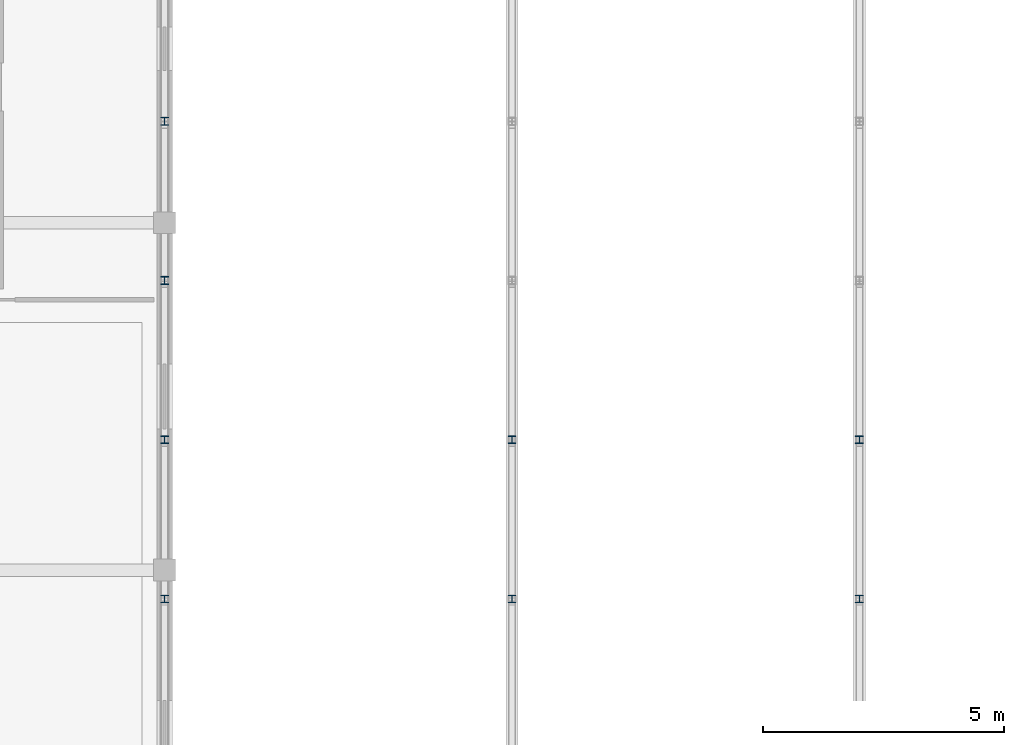
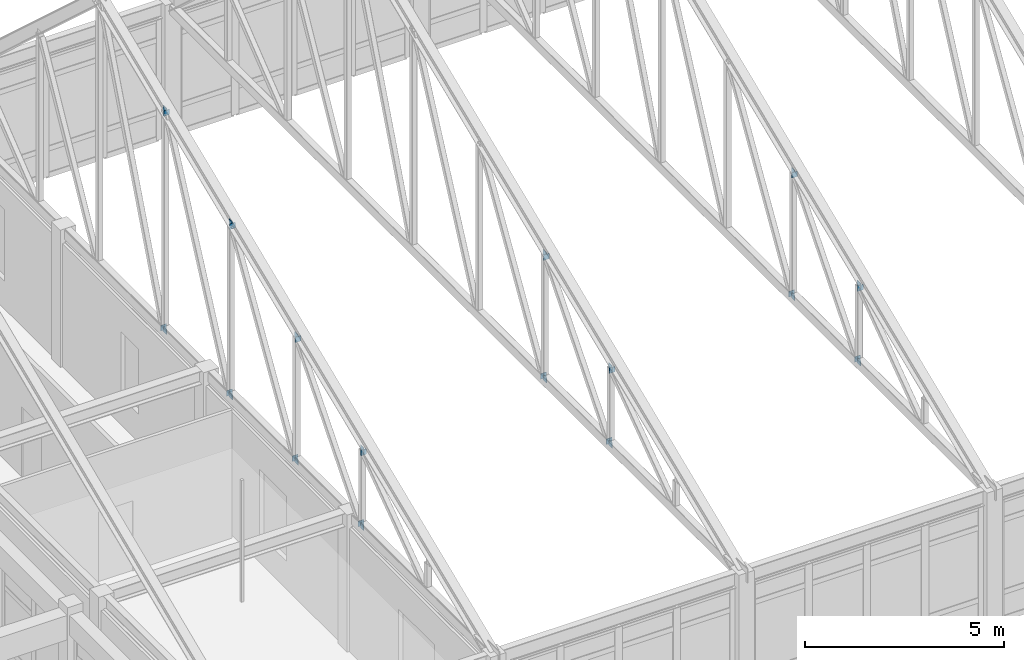
# One storey, part 99 of 136: 32 plates.
"""IFC4 building model written with IfcOpenShell, lengths in metres."""

from ifc_helpers import new_model, si_unit, direction, frame, origin, origin_2d, place, context, subcontext, project, spatial, rectangle, extrude, material, layer, layer_set, type_object, element, save


model = new_model("IFC4")

# Units and contexts
model_context = context("Model", 3, precision=1e-05, world=origin(), true_north=direction((0.0, 1.0)))
body_context = subcontext(model_context, "Body", "Model", "MODEL_VIEW")
ifc_project = project(units=[si_unit("LENGTHUNIT", "METRE"), si_unit("AREAUNIT", "SQUARE_METRE"), si_unit("VOLUMEUNIT", "CUBIC_METRE"), si_unit("PLANEANGLEUNIT", "RADIAN"), si_unit("MASSUNIT", "GRAM", prefix="KILO")], contexts=[model_context])

# Site, building, storey
site_placement = place(None, origin())
site = spatial("IfcSite", under=ifc_project, at=site_placement, CompositionType="ELEMENT")
building_placement = place(site_placement, origin())
building = spatial("IfcBuilding", under=site, at=building_placement, Name="Koriwan Promenade Central Fire Station", CompositionType="ELEMENT")
storey_placement = place(building_placement, frame((0.0, 0.0, 5.39990234375)))
storey = spatial("IfcBuildingStorey", under=building, at=storey_placement, Name="L01", CompositionType="ELEMENT", Elevation=5.39990234375)

# Plates
ifc_material = material(Name="Steel ASTM A572 Grade 50", Category="steel")
ifc_layer = layer(ifc_material, 0.01611328125, Name="Steel ASTM A572 Grade 50")
ifc_layer_set = layer_set([ifc_layer], Name="Steel ASTM A572 Grade 50")
plate_type = type_object("IfcPlateType", Name="EndCap_HSS150", PredefinedType="SHEET", material=ifc_layer_set)
for number, where, z_axis, x_axis, name in (
    (1, (64.800048828125, 49.800048828125, 3.9296875), (0.0, 0.0, 1.0), (1.0, 0.0, 0.0), "TR_V1_02 vertical 2 end cap 1"),
    (2, (64.800048828125, 49.800048828125, 6.299072265625), (0.0, 0.0, 1.0), (1.0, 0.0, 0.0), "TR_V1_02 vertical 2 end cap 2"),
    (3, (64.800048828125, 53.10009765625, 3.9296875), (0.0, 0.0, 1.0), (1.0, 0.0, 0.0), "TR_V1_02 vertical 3 end cap 1"),
    (4, (64.800048828125, 53.10009765625, 7.765869140625), (0.0, 0.0, 1.0), (1.0, 0.0, 0.0), "TR_V1_02 vertical 3 end cap 2"),
    (5, (64.800048828125, 56.39990234375, 3.9296875), (0.0, 0.0, 1.0), (1.0, 0.0, 0.0), "TR_V1_02 vertical 4 end cap 1"),
    (6, (64.800048828125, 56.39990234375, 9.232666015625), (0.0, 0.0, 1.0), (1.0, 0.0, 0.0), "TR_V1_02 vertical 4 end cap 2"),
    (7, (64.800048828125, 59.699951171875, 3.9296875), (0.0, 0.0, 1.0), (1.0, 0.0, 0.0), "TR_V1_02 vertical 5 end cap 1"),
    (8, (64.800048828125, 59.699951171875, 10.69921875), (0.0, 0.0, 1.0), (1.0, 0.0, 0.0), "TR_V1_02 vertical 5 end cap 2"),
    (9, (64.800048828125, 49.7265625, 6.245849609375), (0.0, 0.0, 1.0), (0.0, 1.0, 0.0), "TR_V1_02 web diagonal 2 end cap 2"),
    (10, (64.800048828125, 49.874755859375, 3.9814453125), (0.0, 0.0, 1.0), (0.0, 1.0, 0.0), "TR_V1_02 web diagonal 3 end cap 1"),
    (11, (64.800048828125, 53.025146484375, 7.7138671875), (0.0, 0.0, 1.0), (0.0, 1.0, 0.0), "TR_V1_02 web diagonal 3 end cap 2"),
    (12, (64.800048828125, 53.17578125, 3.980712890625), (0.0, 0.0, 1.0), (0.0, 1.0, 0.0), "TR_V1_02 web diagonal 4 end cap 1"),
    (13, (64.800048828125, 56.32421875, 9.181396484375), (0.0, 0.0, 1.0), (0.0, 1.0, 0.0), "TR_V1_02 web diagonal 4 end cap 2"),
    (14, (64.800048828125, 56.4765625, 3.98046875), (0.0, 0.0, 1.0), (0.0, 1.0, 0.0), "TR_V1_02 web diagonal 5 end cap 1"),
    (15, (64.800048828125, 59.623291015625, 10.6484375), (0.0, 0.0, 1.0), (0.0, 1.0, 0.0), "TR_V1_02 web diagonal 5 end cap 2"),
    (16, (64.800048828125, 59.777099609375, 3.97998046875), (0.0, 0.0, 1.0), (0.0, 1.0, 0.0), "TR_V1_02 web diagonal 6 end cap 1"),
    (17, (72.0, 49.800048828125, 3.9296875), (0.0, 0.0, 1.0), (1.0, 0.0, 0.0), "TR_V1_03 vertical 2 end cap 1"),
    (18, (72.0, 49.800048828125, 6.299072265625), (0.0, 0.0, 1.0), (1.0, 0.0, 0.0), "TR_V1_03 vertical 2 end cap 2"),
    (19, (72.0, 53.10009765625, 3.9296875), (0.0, 0.0, 1.0), (1.0, 0.0, 0.0), "TR_V1_03 vertical 3 end cap 1"),
    (20, (72.0, 53.10009765625, 7.765869140625), (0.0, 0.0, 1.0), (1.0, 0.0, 0.0), "TR_V1_03 vertical 3 end cap 2"),
    (21, (72.0, 49.7265625, 6.245849609375), (0.0, 0.0, 1.0), (0.0, 1.0, 0.0), "TR_V1_03 web diagonal 2 end cap 2"),
    (22, (72.0, 49.874755859375, 3.9814453125), (0.0, 0.0, 1.0), (0.0, 1.0, 0.0), "TR_V1_03 web diagonal 3 end cap 1"),
    (23, (72.0, 53.025146484375, 7.7138671875), (0.0, 0.0, 1.0), (0.0, 1.0, 0.0), "TR_V1_03 web diagonal 3 end cap 2"),
    (24, (72.0, 53.17578125, 3.980712890625), (0.0, 0.0, 1.0), (0.0, 1.0, 0.0), "TR_V1_03 web diagonal 4 end cap 1"),
    (25, (79.199951171875, 49.800048828125, 3.9296875), (0.0, 0.0, 1.0), (1.0, 0.0, 0.0), "TR_V1_04 vertical 2 end cap 1"),
    (26, (79.199951171875, 49.800048828125, 6.299072265625), (0.0, 0.0, 1.0), (1.0, 0.0, 0.0), "TR_V1_04 vertical 2 end cap 2"),
    (27, (79.199951171875, 53.10009765625, 3.9296875), (0.0, 0.0, 1.0), (1.0, 0.0, 0.0), "TR_V1_04 vertical 3 end cap 1"),
    (28, (79.199951171875, 53.10009765625, 7.765869140625), (0.0, 0.0, 1.0), (1.0, 0.0, 0.0), "TR_V1_04 vertical 3 end cap 2"),
    (29, (79.199951171875, 49.7265625, 6.245849609375), (0.0, 0.0, 1.0), (0.0, 1.0, 0.0), "TR_V1_04 web diagonal 2 end cap 2"),
    (30, (79.199951171875, 49.874755859375, 3.9814453125), (0.0, 0.0, 1.0), (0.0, 1.0, 0.0), "TR_V1_04 web diagonal 3 end cap 1"),
    (31, (79.199951171875, 53.025146484375, 7.7138671875), (0.0, 0.0, 1.0), (0.0, 1.0, 0.0), "TR_V1_04 web diagonal 3 end cap 2"),
    (32, (79.199951171875, 53.17578125, 3.980712890625), (0.0, 0.0, 1.0), (0.0, 1.0, 0.0), "TR_V1_04 web diagonal 4 end cap 1"),
):
    element("IfcPlate", number, at=place(storey_placement, frame(where, z_axis=z_axis, x_axis=x_axis)), inside=storey, type_object=plate_type, Name=name, PredefinedType="SHEET", context=body_context, shape_type="SweptSolid", body=[
        extrude(rectangle(XDim=0.01611328125, YDim=0.1650390625, at=origin_2d()), origin(), (0.0, 0.0, 1.0), 0.1650390625),
    ])

save(model, "model.ifc")
